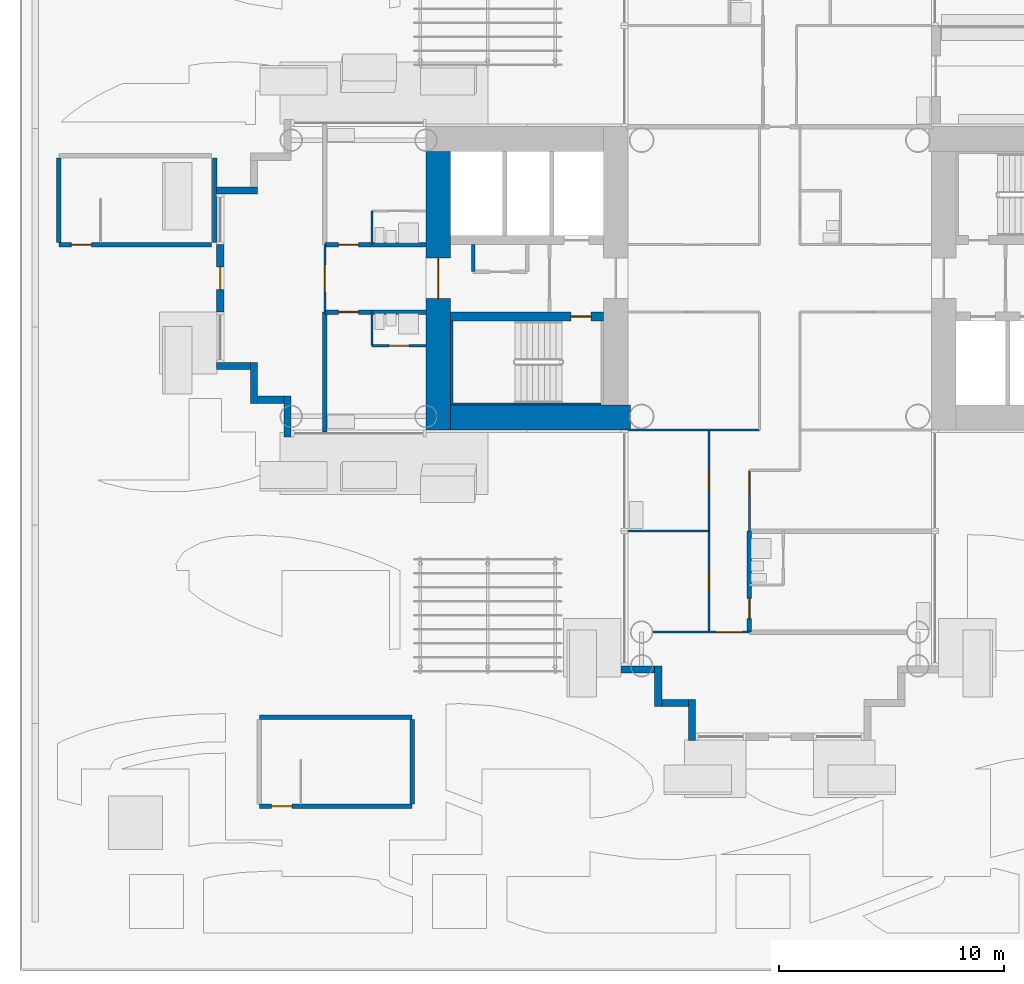
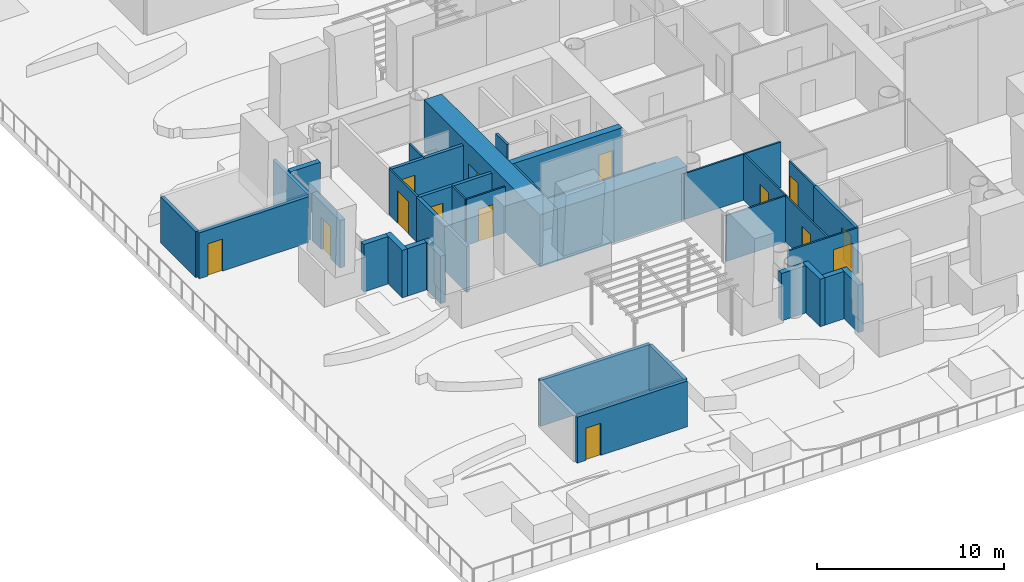
# One storey, part 23 of 40: 35 walls, 14 doors, 14 openings.
"""IFC4 building model written with IfcOpenShell, lengths in metres."""

from ifc_helpers import new_model, si_unit, direction, frame, frame_2d, origin, place, context, subcontext, project, spatial, rectangle, extrude, material, layer, layer_set, type_object, element, fill, save


model = new_model("IFC4")

# Units and contexts
model_context = context("Model", 3, precision=1e-05, world=origin(), true_north=direction((0.0, 1.0)))
body_context = subcontext(model_context, "Body", "Model", "MODEL_VIEW")
ifc_project = project(units=[si_unit("LENGTHUNIT", "METRE"), si_unit("AREAUNIT", "SQUARE_METRE"), si_unit("VOLUMEUNIT", "CUBIC_METRE"), si_unit("PLANEANGLEUNIT", "RADIAN"), si_unit("MASSUNIT", "GRAM", prefix="KILO")], contexts=[model_context])

# Site, building, storey
site_placement = place(None, origin())
site = spatial("IfcSite", under=ifc_project, at=site_placement, CompositionType="ELEMENT")
building_placement = place(site_placement, origin())
building = spatial("IfcBuilding", under=site, at=building_placement, Name="Ipe Terrace Towers", CompositionType="ELEMENT")
storey_placement = place(building_placement, frame((0.0, 0.0, 24.5)))
storey = spatial("IfcBuildingStorey", under=building, at=storey_placement, Name="L05", CompositionType="ELEMENT", Elevation=24.5)

# Walls
ifc_material_1 = material(Name="Concrete C40/50 with buff precast cladding", Category="concrete")
ifc_layer_1 = layer(ifc_material_1, 0.320068359375)
ifc_layer_set_1 = layer_set([ifc_layer_1], Name="BUFF CLADDING WALL 320")
wall_type_1 = type_object("IfcWallType", Name="BUFF CLADDING WALL 320", PredefinedType="STANDARD", material=ifc_layer_set_1)
wall_1_placement = place(storey_placement, frame((-61.070068359375, -3.909912109375, 0.0), z_axis=(0.0, 0.0, 1.0), x_axis=(1.0, 0.0, 0.0)))
element("IfcWall", 1, at=wall_1_placement, inside=storey, type_object=wall_type_1, Name="T1-W-L05-00a wall", PredefinedType="STANDARD", context=body_context, shape_type="SweptSolid", body=[
    extrude(rectangle(XDim=1.5, YDim=0.320068359375, at=frame_2d((0.75, 0.0))), origin(), (0.0, 0.0, 1.0), 3.10009765625),
])
wall_2_placement = place(storey_placement, frame((-59.409912109375, -3.75, 0.0), z_axis=(0.0, 0.0, 1.0), x_axis=(0.0, -1.0, 0.0)))
element("IfcWall", 2, at=wall_2_placement, inside=storey, type_object=wall_type_1, Name="T1-W-L05-01a wall", PredefinedType="STANDARD", context=body_context, shape_type="SweptSolid", body=[
    extrude(rectangle(XDim=1.820068359375, YDim=0.320068359375, at=frame_2d((0.91015625, 0.0))), origin(), (0.0, 0.0, 1.0), 3.10009765625),
])
wall_3_placement = place(storey_placement, frame((-59.25, -5.409912109375, 0.0), z_axis=(0.0, 0.0, 1.0), x_axis=(1.0, 0.0, 0.0)))
element("IfcWall", 3, at=wall_3_placement, inside=storey, type_object=wall_type_1, Name="T1-W-L05-02a wall", PredefinedType="STANDARD", context=body_context, shape_type="SweptSolid", body=[
    extrude(rectangle(XDim=1.179931640625, YDim=0.320068359375, at=frame_2d((0.58984375, 0.0))), origin(), (0.0, 0.0, 1.0), 3.10009765625),
])
wall_4_placement = place(storey_placement, frame((-57.909912109375, -5.25, 0.0), z_axis=(0.0, 0.0, 1.0), x_axis=(0.0, -1.0, 0.0)))
element("IfcWall", 4, at=wall_4_placement, inside=storey, type_object=wall_type_1, Name="T1-W-L05-03a wall", PredefinedType="STANDARD", context=body_context, shape_type="SweptSolid", body=[
    extrude(rectangle(XDim=1.820068359375, YDim=0.320068359375, at=frame_2d((0.91015625, 0.0))), origin(), (0.0, 0.0, 1.0), 3.10009765625),
])
wall_5_placement = place(storey_placement, frame((-43.070068359375, -17.409912109375, 0.0), z_axis=(0.0, 0.0, 1.0), x_axis=(1.0, 0.0, 0.0)))
element("IfcWall", 5, at=wall_5_placement, inside=storey, type_object=wall_type_1, Name="T1-W-L05-08a wall", PredefinedType="STANDARD", context=body_context, shape_type="SweptSolid", body=[
    extrude(rectangle(XDim=1.5, YDim=0.320068359375, at=frame_2d((0.75, 0.0))), origin(), (0.0, 0.0, 1.0), 3.10009765625),
])
wall_6_placement = place(storey_placement, frame((-41.409912109375, -17.25, 0.0), z_axis=(0.0, 0.0, 1.0), x_axis=(0.0, -1.0, 0.0)))
element("IfcWall", 6, at=wall_6_placement, inside=storey, type_object=wall_type_1, Name="T1-W-L05-09a wall", PredefinedType="STANDARD", context=body_context, shape_type="SweptSolid", body=[
    extrude(rectangle(XDim=1.820068359375, YDim=0.320068359375, at=frame_2d((0.91015625, 0.0))), origin(), (0.0, 0.0, 1.0), 3.10009765625),
])
wall_7_placement = place(storey_placement, frame((-41.25, -18.909912109375, 0.0), z_axis=(0.0, 0.0, 1.0), x_axis=(1.0, 0.0, 0.0)))
element("IfcWall", 7, at=wall_7_placement, inside=storey, type_object=wall_type_1, Name="T1-W-L05-10a wall", PredefinedType="STANDARD", context=body_context, shape_type="SweptSolid", body=[
    extrude(rectangle(XDim=1.179931640625, YDim=0.320068359375, at=frame_2d((0.58984375, 0.0))), origin(), (0.0, 0.0, 1.0), 3.10009765625),
])
for number, where, z_axis, x_axis, name in (
    (8, (-39.909912109375, -18.75, 0.0), (0.0, 0.0, 1.0), (0.0, -1.0, 0.0), "T1-W-L05-11a wall"),
    (9, (-59.25, 3.909912109375, 0.0), (0.0, 0.0, 1.0), (-1.0, 0.0, 0.0), "T1-W-L05-50a wall"),
):
    element("IfcWall", number, at=place(storey_placement, frame(where, z_axis=z_axis, x_axis=x_axis)), inside=storey, type_object=wall_type_1, Name=name, PredefinedType="STANDARD", context=body_context, shape_type="SweptSolid", body=[
        extrude(rectangle(XDim=1.820068359375, YDim=0.320068359375, at=frame_2d((0.91015625, 0.0))), origin(), (0.0, 0.0, 1.0), 3.10009765625),
    ])

# Wall, opening, door
wall_8_placement = place(storey_placement, frame((-60.909912109375, 1.5, 0.0), z_axis=(0.0, 0.0, 1.0), x_axis=(0.0, -1.0, 0.0)))
wall_8 = element("IfcWall", 10, at=wall_8_placement, inside=storey, type_object=wall_type_1, Name="T1-W-L05-51b wall", PredefinedType="STANDARD", context=body_context, shape_type="SweptSolid", body=[
    extrude(rectangle(XDim=3.0, YDim=0.320068359375, at=frame_2d((1.5, 0.0))), origin(), (0.0, 0.0, 1.0), 3.10009765625),
])
opening_1_placement = place(wall_8_placement, frame((1.0, 0.0, 0.0)))
opening_1 = element("IfcOpeningElement", 11, at=opening_1_placement, cuts=wall_8, Name="Opening T1-D-L05-51", PredefinedType="OPENING", context=body_context, shape_type="SweptSolid", body=[
    extrude(rectangle(XDim=1.0, YDim=2.10009765625, at=frame_2d((0.5, 1.050048828125))), frame((0.0, 0.169921875, 0.0), z_axis=(0.0, -1.0, 0.0), x_axis=(1.0, 0.0, 0.0)), (0.0, 0.0, 1.0), 0.340087890625),
])
ifc_material_2 = material(Name="Aluminium alloy 6063-T6 framed glazed door", Category="aluminium")
door_type_1 = type_object("IfcDoorType", Name="TERRACE DOOR 1000 x 2100", OperationType="SINGLE_SWING_LEFT", PredefinedType="DOOR", material=ifc_material_2)
door_1_placement = place(opening_1_placement, origin())
door_1 = element("IfcDoor", 12, at=door_1_placement, inside=storey, type_object=door_type_1, Name="DT1 door", OperationType="SINGLE_SWING_LEFT", OverallHeight=2.10009765625, OverallWidth=1.0, PredefinedType="DOOR", context=body_context, shape_type="SweptSolid", body=[
    extrude(rectangle(XDim=1.0, YDim=2.10009765625, at=frame_2d((0.5, 1.050048828125))), frame((0.0, 0.02490234375, 0.0), z_axis=(0.0, -1.0, 0.0), x_axis=(1.0, 0.0, 0.0)), (0.0, 0.0, 1.0), 0.050048828125),
])
fill(opening_1, door_1)

ifc_material_3 = material(Name="Gypsum board partition", Category="plasterboard")
ifc_layer_2 = layer(ifc_material_3, 0.10009765625)
ifc_layer_set_2 = layer_set([ifc_layer_2], Name="Gypsum board partition 100 mm")
wall_type_2 = type_object("IfcWallType", Name="Gypsum board partition 100 mm", PredefinedType="PARTITIONING", material=ifc_layer_set_2)
wall_9_placement = place(storey_placement, frame((-56.25, -1.5, 0.0), z_axis=(0.0, 0.0, 1.0), x_axis=(0.0, 1.0, 0.0)))
wall_9 = element("IfcWall", 13, at=wall_9_placement, inside=storey, type_object=wall_type_2, Name="Gypsum board partition T1 L05 W01", PredefinedType="PARTITIONING", context=body_context, shape_type="SweptSolid", body=[
    extrude(rectangle(XDim=3.0, YDim=0.10009765625, at=frame_2d((1.5, 0.0))), origin(), (0.0, 0.0, 1.0), 3.0),
])
opening_2_placement = place(wall_9_placement, frame((0.89990234375, 0.0, 0.0)))
opening_2 = element("IfcOpeningElement", 14, at=opening_2_placement, cuts=wall_9, Name="Opening T1-Z1A-31", PredefinedType="OPENING", context=body_context, shape_type="SweptSolid", body=[
    extrude(rectangle(XDim=1.199951171875, YDim=2.10009765625, at=frame_2d((0.60009765625, 1.050048828125))), frame((0.0, 0.06005859375, 0.0), z_axis=(0.0, -1.0, 0.0), x_axis=(1.0, 0.0, 0.0)), (0.0, 0.0, 1.0), 0.1201171875),
])
ifc_material_4 = material(Name="Timber door leaf", Category="wood")
door_type_2 = type_object("IfcDoorType", Name="Lounge door 1200 x 2100", OperationType="NOTDEFINED", PredefinedType="DOOR", material=ifc_material_4)
door_2_placement = place(opening_2_placement, origin())
door_2 = element("IfcDoor", 15, at=door_2_placement, inside=storey, type_object=door_type_2, Name="Lounge door T1-Z1A-31", OperationType="SINGLE_SWING_LEFT", OverallHeight=2.10009765625, OverallWidth=1.199951171875, PredefinedType="DOOR", context=body_context, shape_type="SweptSolid", body=[
    extrude(rectangle(XDim=1.199951171875, YDim=2.10009765625, at=frame_2d((0.60009765625, 1.050048828125))), frame((0.0, 0.02490234375, 0.0), z_axis=(0.0, -1.0, 0.0), x_axis=(1.0, 0.0, 0.0)), (0.0, 0.0, 1.0), 0.050048828125),
])
fill(opening_2, door_2)

# Walls
for number, where, z_axis, x_axis, name in (
    (16, (-54.14990234375, -3.0, 0.0), (0.0, 0.0, 1.0), (0.0, 1.0, 0.0), "Gypsum board partition T1 L05 W04"),
    (17, (-54.14990234375, 1.5, 0.0), (0.0, 0.0, 1.0), (0.0, 1.0, 0.0), "Gypsum board partition T1 L05 W05"),
):
    element("IfcWall", number, at=place(storey_placement, frame(where, z_axis=z_axis, x_axis=x_axis)), inside=storey, type_object=wall_type_2, Name=name, PredefinedType="PARTITIONING", context=body_context, shape_type="SweptSolid", body=[
        extrude(rectangle(XDim=1.5, YDim=0.10009765625, at=frame_2d((0.75, 0.0))), origin(), (0.0, 0.0, 1.0), 3.0),
    ])

# Wall, openings, doors
wall_10_placement = place(storey_placement, frame((-39.14990234375, -15.75, 0.0), z_axis=(0.0, 0.0, 1.0), x_axis=(0.0, 1.0, 0.0)))
wall_10 = element("IfcWall", 18, at=wall_10_placement, inside=storey, type_object=wall_type_2, Name="Gypsum board partition T1 L05 W06", PredefinedType="PARTITIONING", context=body_context, shape_type="SweptSolid", body=[
    extrude(rectangle(XDim=9.0, YDim=0.10009765625, at=frame_2d((4.5, 0.0))), origin(), (0.0, 0.0, 1.0), 3.0),
])
opening_3_placement = place(wall_10_placement, frame((6.300048828125, 0.0, 0.0)))
opening_3 = element("IfcOpeningElement", 19, at=opening_3_placement, cuts=wall_10, Name="Opening T1-Z1A-19", PredefinedType="OPENING", context=body_context, shape_type="SweptSolid", body=[
    extrude(rectangle(XDim=0.89990234375, YDim=2.10009765625, at=frame_2d((0.449951171875, 1.050048828125))), frame((0.0, 0.06005859375, 0.0), z_axis=(0.0, -1.0, 0.0), x_axis=(1.0, 0.0, 0.0)), (0.0, 0.0, 1.0), 0.1201171875),
])
opening_4_placement = place(wall_10_placement, frame((1.800048828125, 0.0, 0.0)))
opening_4 = element("IfcOpeningElement", 20, at=opening_4_placement, cuts=wall_10, Name="Opening T1-Z1A-20", PredefinedType="OPENING", context=body_context, shape_type="SweptSolid", body=[
    extrude(rectangle(XDim=0.89990234375, YDim=2.10009765625, at=frame_2d((0.449951171875, 1.050048828125))), frame((0.0, 0.06005859375, 0.0), z_axis=(0.0, -1.0, 0.0), x_axis=(1.0, 0.0, 0.0)), (0.0, 0.0, 1.0), 0.1201171875),
])
ifc_material_5 = material(Name="Timber door leaf", Category="wood")
door_type_3 = type_object("IfcDoorType", Name="Lounge door 900 x 2100", OperationType="NOTDEFINED", PredefinedType="DOOR", material=ifc_material_5)
door_3_placement = place(opening_3_placement, origin())
door_3 = element("IfcDoor", 21, at=door_3_placement, inside=storey, type_object=door_type_3, Name="Lounge door T1-Z1A-19", OperationType="SINGLE_SWING_LEFT", OverallHeight=2.10009765625, OverallWidth=0.89990234375, PredefinedType="DOOR", context=body_context, shape_type="SweptSolid", body=[
    extrude(rectangle(XDim=0.89990234375, YDim=2.10009765625, at=frame_2d((0.449951171875, 1.050048828125))), frame((0.0, 0.02490234375, 0.0), z_axis=(0.0, -1.0, 0.0), x_axis=(1.0, 0.0, 0.0)), (0.0, 0.0, 1.0), 0.050048828125),
])
fill(opening_3, door_3)
door_4_placement = place(opening_4_placement, origin())
door_4 = element("IfcDoor", 22, at=door_4_placement, inside=storey, type_object=door_type_3, Name="Lounge door T1-Z1A-20", OperationType="SINGLE_SWING_RIGHT", OverallHeight=2.10009765625, OverallWidth=0.89990234375, PredefinedType="DOOR", context=body_context, shape_type="SweptSolid", body=[
    extrude(rectangle(XDim=0.89990234375, YDim=2.10009765625, at=frame_2d((0.449951171875, 1.050048828125))), frame((0.0, 0.02490234375, 0.0), z_axis=(0.0, -1.0, 0.0), x_axis=(1.0, 0.0, 0.0)), (0.0, 0.0, 1.0), 0.050048828125),
])
fill(opening_4, door_4)

# Wall, opening, door
wall_11_placement = place(storey_placement, frame((-37.35009765625, -11.25, 0.0), z_axis=(0.0, 0.0, 1.0), x_axis=(0.0, 1.0, 0.0)))
wall_11 = element("IfcWall", 23, at=wall_11_placement, inside=storey, type_object=wall_type_2, Name="Gypsum board partition T1 L05 W08", PredefinedType="PARTITIONING", context=body_context, shape_type="SweptSolid", body=[
    extrude(rectangle(XDim=2.699951171875, YDim=0.10009765625, at=frame_2d((1.35009765625, 0.0))), origin(), (0.0, 0.0, 1.0), 3.0),
])
opening_5_placement = place(wall_11_placement, frame((1.72998046875, 0.0, 0.0)))
opening_5 = element("IfcOpeningElement", 24, at=opening_5_placement, cuts=wall_11, Name="Opening T1-Z1A-16", PredefinedType="OPENING", context=body_context, shape_type="SweptSolid", body=[
    extrude(rectangle(XDim=0.89990234375, YDim=2.10009765625, at=frame_2d((0.449951171875, 1.050048828125))), frame((0.0, 0.06005859375, 0.0), z_axis=(0.0, -1.0, 0.0), x_axis=(1.0, 0.0, 0.0)), (0.0, 0.0, 1.0), 0.1201171875),
])
door_5_placement = place(opening_5_placement, origin())
door_5 = element("IfcDoor", 25, at=door_5_placement, inside=storey, type_object=door_type_3, Name="Lounge door T1-Z1A-16", OperationType="SINGLE_SWING_RIGHT", OverallHeight=2.10009765625, OverallWidth=0.89990234375, PredefinedType="DOOR", context=body_context, shape_type="SweptSolid", body=[
    extrude(rectangle(XDim=0.89990234375, YDim=2.10009765625, at=frame_2d((0.449951171875, 1.050048828125))), frame((0.0, 0.02490234375, 0.0), z_axis=(0.0, -1.0, 0.0), x_axis=(1.0, 0.0, 0.0)), (0.0, 0.0, 1.0), 0.050048828125),
])
fill(opening_5, door_5)

wall_12_placement = place(storey_placement, frame((-41.64990234375, -15.75, 0.0), z_axis=(0.0, 0.0, 1.0), x_axis=(1.0, 0.0, 0.0)))
wall_12 = element("IfcWall", 26, at=wall_12_placement, inside=storey, type_object=wall_type_2, Name="Gypsum board partition T1 L05 W22", PredefinedType="PARTITIONING", context=body_context, shape_type="SweptSolid", body=[
    extrude(rectangle(XDim=4.2998046875, YDim=0.10009765625, at=frame_2d((2.14990234375, 0.0))), origin(), (0.0, 0.0, 1.0), 3.0),
])
opening_6_placement = place(wall_12_placement, frame((2.800048828125, 0.0, 0.0)))
opening_6 = element("IfcOpeningElement", 27, at=opening_6_placement, cuts=wall_12, Name="Opening T1-Z1A-21", PredefinedType="OPENING", context=body_context, shape_type="SweptSolid", body=[
    extrude(rectangle(XDim=1.199951171875, YDim=2.10009765625, at=frame_2d((0.60009765625, 1.050048828125))), frame((0.0, 0.06005859375, 0.0), z_axis=(0.0, -1.0, 0.0), x_axis=(1.0, 0.0, 0.0)), (0.0, 0.0, 1.0), 0.1201171875),
])
door_6_placement = place(opening_6_placement, origin())
door_6 = element("IfcDoor", 28, at=door_6_placement, inside=storey, type_object=door_type_2, Name="Lounge door T1-Z1A-21", OperationType="SINGLE_SWING_RIGHT", OverallHeight=2.10009765625, OverallWidth=1.199951171875, PredefinedType="DOOR", context=body_context, shape_type="SweptSolid", body=[
    extrude(rectangle(XDim=1.199951171875, YDim=2.10009765625, at=frame_2d((0.60009765625, 1.050048828125))), frame((0.0, 0.02490234375, 0.0), z_axis=(0.0, -1.0, 0.0), x_axis=(1.0, 0.0, 0.0)), (0.0, 0.0, 1.0), 0.050048828125),
])
fill(opening_6, door_6)

# Walls
wall_13_placement = place(storey_placement, frame((-42.85009765625, -11.25, 0.0), z_axis=(0.0, 0.0, 1.0), x_axis=(1.0, 0.0, 0.0)))
element("IfcWall", 29, at=wall_13_placement, inside=storey, type_object=wall_type_2, Name="Gypsum board partition T1 L05 W25", PredefinedType="PARTITIONING", context=body_context, shape_type="SweptSolid", body=[
    extrude(rectangle(XDim=3.7001953125, YDim=0.10009765625, at=frame_2d((1.85009765625, 0.0))), origin(), (0.0, 0.0, 1.0), 3.0),
])
wall_14_placement = place(storey_placement, frame((-42.85009765625, -6.75, 0.0), z_axis=(0.0, 0.0, 1.0), x_axis=(1.0, 0.0, 0.0)))
element("IfcWall", 30, at=wall_14_placement, inside=storey, type_object=wall_type_2, Name="Gypsum board partition T1 L05 W28", PredefinedType="PARTITIONING", context=body_context, shape_type="SweptSolid", body=[
    extrude(rectangle(XDim=5.9501953125, YDim=0.10009765625, at=frame_2d((2.97509765625, 0.0))), origin(), (0.0, 0.0, 1.0), 3.0),
])

# Wall, opening, door
wall_15_placement = place(storey_placement, frame((-54.14990234375, -3.0, 0.0), z_axis=(0.0, 0.0, 1.0), x_axis=(1.0, 0.0, 0.0)))
wall_15 = element("IfcWall", 31, at=wall_15_placement, inside=storey, type_object=wall_type_2, Name="Gypsum board partition T1 L05 W31", PredefinedType="PARTITIONING", context=body_context, shape_type="SweptSolid", body=[
    extrude(rectangle(XDim=2.39990234375, YDim=0.10009765625, at=frame_2d((1.199951171875, 0.0))), origin(), (0.0, 0.0, 1.0), 3.0),
])
opening_7_placement = place(wall_15_placement, frame((0.75, 0.0, 0.0)))
opening_7 = element("IfcOpeningElement", 32, at=opening_7_placement, cuts=wall_15, Name="Opening T1-Z1A-28", PredefinedType="OPENING", context=body_context, shape_type="SweptSolid", body=[
    extrude(rectangle(XDim=0.89990234375, YDim=2.10009765625, at=frame_2d((0.449951171875, 1.050048828125))), frame((0.0, 0.06005859375, 0.0), z_axis=(0.0, -1.0, 0.0), x_axis=(1.0, 0.0, 0.0)), (0.0, 0.0, 1.0), 0.1201171875),
])
ifc_material_6 = material(Name="Timber door leaf", Category="wood")
door_type_4 = type_object("IfcDoorType", Name="Bathroom door 900 x 2100", OperationType="NOTDEFINED", PredefinedType="DOOR", material=ifc_material_6)
door_7_placement = place(opening_7_placement, origin())
door_7 = element("IfcDoor", 33, at=door_7_placement, inside=storey, type_object=door_type_4, Name="Bathroom door T1-Z1A-28", OperationType="SINGLE_SWING_LEFT", OverallHeight=2.10009765625, OverallWidth=0.89990234375, PredefinedType="DOOR", context=body_context, shape_type="SweptSolid", body=[
    extrude(rectangle(XDim=0.89990234375, YDim=2.10009765625, at=frame_2d((0.449951171875, 1.050048828125))), frame((0.0, 0.02490234375, 0.0), z_axis=(0.0, -1.0, 0.0), x_axis=(1.0, 0.0, 0.0)), (0.0, 0.0, 1.0), 0.050048828125),
])
fill(opening_7, door_7)

# Walls
ifc_material_7 = material(Name="Gypsum board partition", Category="plasterboard")
ifc_layer_3 = layer(ifc_material_7, 0.14990234375)
ifc_layer_set_3 = layer_set([ifc_layer_3], Name="Gypsum board partition 150 mm")
wall_type_3 = type_object("IfcWallType", Name="Gypsum board partition 150 mm", PredefinedType="PARTITIONING", material=ifc_layer_set_3)
wall_16_placement = place(storey_placement, frame((-49.64990234375, 0.300048828125, 0.0), z_axis=(0.0, 0.0, 1.0), x_axis=(0.0, 1.0, 0.0)))
element("IfcWall", 34, at=wall_16_placement, inside=storey, type_object=wall_type_3, Name="Gypsum board partition T1 L05 t1c2-cup-s-b", PredefinedType="PARTITIONING", context=body_context, shape_type="SweptSolid", body=[
    extrude(rectangle(XDim=1.199951171875, YDim=0.14990234375, at=frame_2d((0.60009765625, 0.0))), origin(), (0.0, 0.0, 1.0), 3.0),
])
ifc_material_8 = material(Name="Gypsum board party wall", Category="plasterboard")
ifc_layer_4 = layer(ifc_material_8, 0.199951171875)
ifc_layer_set_4 = layer_set([ifc_layer_4], Name="Gypsum board party wall 200 mm")
wall_type_4 = type_object("IfcWallType", Name="Gypsum board party wall 200 mm", PredefinedType="SOLIDWALL", material=ifc_layer_set_4)
wall_17_placement = place(storey_placement, frame((-56.25, -6.85009765625, 0.0), z_axis=(0.0, 0.0, 1.0), x_axis=(0.0, 1.0, 0.0)))
element("IfcWall", 35, at=wall_17_placement, inside=storey, type_object=wall_type_4, Name="Gypsum board party wall T1 L05 W02", PredefinedType="SOLIDWALL", context=body_context, shape_type="SweptSolid", body=[
    extrude(rectangle(XDim=5.35009765625, YDim=0.199951171875, at=frame_2d((2.675048828125, 0.0))), origin(), (0.0, 0.0, 1.0), 3.0),
])

# Wall, opening, door
wall_18_placement = place(storey_placement, frame((-37.35009765625, -15.75, 0.0), z_axis=(0.0, 0.0, 1.0), x_axis=(0.0, 1.0, 0.0)))
wall_18 = element("IfcWall", 36, at=wall_18_placement, inside=storey, type_object=wall_type_4, Name="Gypsum board party wall T1 L05 W09", PredefinedType="SOLIDWALL", context=body_context, shape_type="SweptSolid", body=[
    extrude(rectangle(XDim=4.5, YDim=0.199951171875, at=frame_2d((2.25, 0.0))), origin(), (0.0, 0.0, 1.0), 3.0),
])
opening_8_placement = place(wall_18_placement, frame((0.60009765625, 0.0, 0.0)))
opening_8 = element("IfcOpeningElement", 37, at=opening_8_placement, cuts=wall_18, Name="Opening T1-Z1A-17", PredefinedType="OPENING", context=body_context, shape_type="SweptSolid", body=[
    extrude(rectangle(XDim=0.89990234375, YDim=2.10009765625, at=frame_2d((0.449951171875, 1.050048828125))), frame((0.0, 0.10986328125, 0.0), z_axis=(0.0, -1.0, 0.0), x_axis=(1.0, 0.0, 0.0)), (0.0, 0.0, 1.0), 0.219970703125),
])
ifc_material_9 = material(Name="Fire-rated timber door leaf", Category="wood")
door_type_5 = type_object("IfcDoorType", Name="Flat entrance door 900 x 2100 FD30S", OperationType="NOTDEFINED", PredefinedType="DOOR", material=ifc_material_9)
door_8_placement = place(opening_8_placement, origin())
door_8 = element("IfcDoor", 38, at=door_8_placement, inside=storey, type_object=door_type_5, Name="Flat entrance door T1-Z1A-17", OperationType="SINGLE_SWING_LEFT", OverallHeight=2.10009765625, OverallWidth=0.89990234375, PredefinedType="DOOR", context=body_context, shape_type="SweptSolid", body=[
    extrude(rectangle(XDim=0.89990234375, YDim=2.10009765625, at=frame_2d((0.449951171875, 1.050048828125))), frame((0.0, 0.02490234375, 0.0), z_axis=(0.0, -1.0, 0.0), x_axis=(1.0, 0.0, 0.0)), (0.0, 0.0, 1.0), 0.050048828125),
])
fill(opening_8, door_8)

wall_19_placement = place(storey_placement, frame((-56.25, -1.5, 0.0), z_axis=(0.0, 0.0, 1.0), x_axis=(1.0, 0.0, 0.0)))
wall_19 = element("IfcWall", 39, at=wall_19_placement, inside=storey, type_object=wall_type_4, Name="Gypsum board party wall T1 L05 W34", PredefinedType="SOLIDWALL", context=body_context, shape_type="SweptSolid", body=[
    extrude(rectangle(XDim=4.5, YDim=0.199951171875, at=frame_2d((2.25, 0.0))), origin(), (0.0, 0.0, 1.0), 3.0),
])
opening_9_placement = place(wall_19_placement, frame((0.60009765625, 0.0, 0.0)))
opening_9 = element("IfcOpeningElement", 40, at=opening_9_placement, cuts=wall_19, Name="Opening T1-Z1A-27", PredefinedType="OPENING", context=body_context, shape_type="SweptSolid", body=[
    extrude(rectangle(XDim=0.89990234375, YDim=2.10009765625, at=frame_2d((0.449951171875, 1.050048828125))), frame((0.0, 0.10986328125, 0.0), z_axis=(0.0, -1.0, 0.0), x_axis=(1.0, 0.0, 0.0)), (0.0, 0.0, 1.0), 0.219970703125),
])
door_9_placement = place(opening_9_placement, origin())
door_9 = element("IfcDoor", 41, at=door_9_placement, inside=storey, type_object=door_type_5, Name="Flat entrance door T1-Z1A-27", OperationType="SINGLE_SWING_LEFT", OverallHeight=2.10009765625, OverallWidth=0.89990234375, PredefinedType="DOOR", context=body_context, shape_type="SweptSolid", body=[
    extrude(rectangle(XDim=0.89990234375, YDim=2.10009765625, at=frame_2d((0.449951171875, 1.050048828125))), frame((0.0, 0.02490234375, 0.0), z_axis=(0.0, -1.0, 0.0), x_axis=(1.0, 0.0, 0.0)), (0.0, 0.0, 1.0), 0.050048828125),
])
fill(opening_9, door_9)

wall_20_placement = place(storey_placement, frame((-56.25, 1.5, 0.0), z_axis=(0.0, 0.0, 1.0), x_axis=(1.0, 0.0, 0.0)))
wall_20 = element("IfcWall", 42, at=wall_20_placement, inside=storey, type_object=wall_type_4, Name="Gypsum board party wall T1 L05 W39", PredefinedType="SOLIDWALL", context=body_context, shape_type="SweptSolid", body=[
    extrude(rectangle(XDim=4.5, YDim=0.199951171875, at=frame_2d((2.25, 0.0))), origin(), (0.0, 0.0, 1.0), 3.0),
])
opening_10_placement = place(wall_20_placement, frame((0.60009765625, 0.0, 0.0)))
opening_10 = element("IfcOpeningElement", 43, at=opening_10_placement, cuts=wall_20, Name="Opening T1-Z1A-29", PredefinedType="OPENING", context=body_context, shape_type="SweptSolid", body=[
    extrude(rectangle(XDim=0.89990234375, YDim=2.10009765625, at=frame_2d((0.449951171875, 1.050048828125))), frame((0.0, 0.10986328125, 0.0), z_axis=(0.0, -1.0, 0.0), x_axis=(1.0, 0.0, 0.0)), (0.0, 0.0, 1.0), 0.219970703125),
])
door_10_placement = place(opening_10_placement, origin())
door_10 = element("IfcDoor", 44, at=door_10_placement, inside=storey, type_object=door_type_5, Name="Flat entrance door T1-Z1A-29", OperationType="SINGLE_SWING_RIGHT", OverallHeight=2.10009765625, OverallWidth=0.89990234375, PredefinedType="DOOR", context=body_context, shape_type="SweptSolid", body=[
    extrude(rectangle(XDim=0.89990234375, YDim=2.10009765625, at=frame_2d((0.449951171875, 1.050048828125))), frame((0.0, 0.02490234375, 0.0), z_axis=(0.0, -1.0, 0.0), x_axis=(1.0, 0.0, 0.0)), (0.0, 0.0, 1.0), 0.050048828125),
])
fill(opening_10, door_10)

# Walls
ifc_material_10 = material(Name="Concrete C60/75", Category="concrete")
ifc_layer_5 = layer(ifc_material_10, 0.10009765625)
ifc_layer_set_5 = layer_set([ifc_layer_5], Name="RW100 CORE INFILL WALL 100 C60-75")
wall_type_5 = type_object("IfcWallType", Name="RW100 CORE INFILL WALL 100 C60-75", PredefinedType="SHEAR", material=ifc_layer_set_5)
wall_21_placement = place(storey_placement, frame((-50.60009765625, -1.89990234375, 0.0), z_axis=(0.0, 0.0, 1.0), x_axis=(0.0, -1.0, 0.0)))
element("IfcWall", 45, at=wall_21_placement, inside=storey, type_object=wall_type_5, Name="Core infill wall T1-C2-far", PredefinedType="SHEAR", context=body_context, shape_type="SweptSolid", body=[
    extrude(rectangle(XDim=3.75, YDim=0.10009765625, at=frame_2d((1.875, 0.0))), origin(), (0.0, 0.0, 1.0), 3.39990234375),
])
wall_22_placement = place(storey_placement, frame((-43.949951171875, -5.60009765625, 0.0), z_axis=(0.0, 0.0, 1.0), x_axis=(-1.0, 0.0, 0.0)))
element("IfcWall", 46, at=wall_22_placement, inside=storey, type_object=wall_type_5, Name="Core infill wall T1-C2-back", PredefinedType="SHEAR", context=body_context, shape_type="SweptSolid", body=[
    extrude(rectangle(XDim=6.60009765625, YDim=0.10009765625, at=frame_2d((3.300048828125, 0.0))), origin(), (0.0, 0.0, 1.0), 3.39990234375),
])
ifc_material_11 = material(Name="Concrete C60/75", Category="concrete")
ifc_layer_6 = layer(ifc_material_11, 1.10009765625)
ifc_layer_set_6 = layer_set([ifc_layer_6], Name="RW1100 CORE WALL 1100 C60-75")
wall_type_6 = type_object("IfcWallType", Name="RW1100 CORE WALL 1100 C60-75", PredefinedType="SHEAR", material=ifc_layer_set_6)
wall_23_placement = place(storey_placement, frame((-50.64990234375, -6.199951171875, 0.0), z_axis=(0.0, 0.0, 1.0), x_axis=(1.0, 0.0, 0.0)))
element("IfcWall", 47, at=wall_23_placement, inside=storey, type_object=wall_type_6, Name="Core wall T1-C2-Z1-W01", PredefinedType="SHEAR", context=body_context, shape_type="SweptSolid", body=[
    extrude(rectangle(XDim=7.997802734375, YDim=1.10009765625, at=frame_2d((3.9990234375, 0.0))), origin(), (0.0, 0.0, 1.0), 3.39990234375),
])

# Wall, opening, door
wall_24_placement = place(storey_placement, frame((-51.199951171875, 5.64990234375, 0.0), z_axis=(0.0, 0.0, 1.0), x_axis=(0.0, -1.0, 0.0)))
wall_24 = element("IfcWall", 48, at=wall_24_placement, inside=storey, type_object=wall_type_6, Name="Core wall T1-C2-Z1-W04", PredefinedType="SHEAR", context=body_context, shape_type="SweptSolid", body=[
    extrude(rectangle(XDim=12.39990234375, YDim=1.10009765625, at=frame_2d((6.199951171875, 0.0))), origin(), (0.0, 0.0, 1.0), 3.39990234375),
])
opening_11_placement = place(wall_24_placement, frame((4.75, 0.0, 0.0)))
opening_11 = element("IfcOpeningElement", 49, at=opening_11_placement, cuts=wall_24, Name="Opening T1C2-FD", PredefinedType="OPENING", context=body_context, shape_type="SweptSolid", body=[
    extrude(rectangle(XDim=1.800048828125, YDim=2.10009765625, at=frame_2d((0.89990234375, 1.050048828125))), frame((0.0, 0.56005859375, 0.0), z_axis=(0.0, -1.0, 0.0), x_axis=(1.0, 0.0, 0.0)), (0.0, 0.0, 1.0), 1.1201171875),
])
ifc_material_12 = material(Name="Fire-rated timber door leaf", Category="wood")
door_type_6 = type_object("IfcDoorType", Name="Fire door 1800 x 2100 FD30S", OperationType="NOTDEFINED", PredefinedType="DOOR", material=ifc_material_12)
door_11_placement = place(opening_11_placement, origin())
door_11 = element("IfcDoor", 50, at=door_11_placement, inside=storey, type_object=door_type_6, Name="Fire door T1C2-FD", OperationType="SINGLE_SWING_LEFT", OverallHeight=2.10009765625, OverallWidth=1.800048828125, PredefinedType="DOOR", context=body_context, shape_type="SweptSolid", body=[
    extrude(rectangle(XDim=1.800048828125, YDim=2.10009765625, at=frame_2d((0.89990234375, 1.050048828125))), frame((0.0, 0.02490234375, 0.0), z_axis=(0.0, -1.0, 0.0), x_axis=(1.0, 0.0, 0.0)), (0.0, 0.0, 1.0), 0.050048828125),
])
fill(opening_11, door_11)

ifc_material_13 = material(Name="Concrete C40/50", Category="concrete")
ifc_layer_7 = layer(ifc_material_13, 0.199951171875)
ifc_layer_set_7 = layer_set([ifc_layer_7], Name="RW200 PODIUM STAIR SHAFT WALL 200 C40-50")
wall_type_7 = type_object("IfcWallType", Name="RW200 PODIUM STAIR SHAFT WALL 200 C40-50", PredefinedType="SHEAR", material=ifc_layer_set_7)
wall_25_placement = place(storey_placement, frame((-59.169921875, -23.5, 0.0), z_axis=(0.0, 0.0, 1.0), x_axis=(1.0, 0.0, 0.0)))
wall_25 = element("IfcWall", 51, at=wall_25_placement, inside=storey, type_object=wall_type_7, Name="Stair shaft wall T1 L05 ps4-c", PredefinedType="SHEAR", context=body_context, shape_type="SweptSolid", body=[
    extrude(rectangle(XDim=6.7998046875, YDim=0.199951171875, at=frame_2d((3.39990234375, 0.0))), origin(), (0.0, 0.0, 1.0), 3.0),
])
opening_12_placement = place(wall_25_placement, frame((0.550048828125, 0.0, 0.0)))
opening_12 = element("IfcOpeningElement", 52, at=opening_12_placement, cuts=wall_25, Name="Opening PS4-SD", PredefinedType="OPENING", context=body_context, shape_type="SweptSolid", body=[
    extrude(rectangle(XDim=0.89990234375, YDim=2.10009765625, at=frame_2d((0.449951171875, 1.050048828125))), frame((0.0, 0.10986328125, 0.0), z_axis=(0.0, -1.0, 0.0), x_axis=(1.0, 0.0, 0.0)), (0.0, 0.0, 1.0), 0.219970703125),
])
ifc_material_14 = material(Name="Fire-rated timber door leaf", Category="wood")
door_type_7 = type_object("IfcDoorType", Name="Stair door 900 x 2100 FD60", OperationType="NOTDEFINED", PredefinedType="DOOR", material=ifc_material_14)
door_12_placement = place(opening_12_placement, origin())
door_12 = element("IfcDoor", 53, at=door_12_placement, inside=storey, type_object=door_type_7, Name="Stair door PS4-SD", OperationType="SINGLE_SWING_RIGHT", OverallHeight=2.10009765625, OverallWidth=0.89990234375, PredefinedType="DOOR", context=body_context, shape_type="SweptSolid", body=[
    extrude(rectangle(XDim=0.89990234375, YDim=2.10009765625, at=frame_2d((0.449951171875, 1.050048828125))), frame((0.0, 0.02490234375, 0.0), z_axis=(0.0, -1.0, 0.0), x_axis=(1.0, 0.0, 0.0)), (0.0, 0.0, 1.0), 0.050048828125),
])
fill(opening_12, door_12)

# Walls
wall_26_placement = place(storey_placement, frame((-59.169921875, -19.550048828125, 0.0), z_axis=(0.0, 0.0, 1.0), x_axis=(1.0, 0.0, 0.0)))
element("IfcWall", 54, at=wall_26_placement, inside=storey, type_object=wall_type_7, Name="Stair shaft wall T1 L05 ps4-f", PredefinedType="SHEAR", context=body_context, shape_type="SweptSolid", body=[
    extrude(rectangle(XDim=6.7998046875, YDim=0.199951171875, at=frame_2d((3.39990234375, 0.0))), origin(), (0.0, 0.0, 1.0), 3.0),
])
wall_27_placement = place(storey_placement, frame((-52.3701171875, -23.39990234375, 0.0), z_axis=(0.0, 0.0, 1.0), x_axis=(0.0, 1.0, 0.0)))
element("IfcWall", 55, at=wall_27_placement, inside=storey, type_object=wall_type_7, Name="Stair shaft wall T1 L05 ps4-e", PredefinedType="SHEAR", context=body_context, shape_type="SweptSolid", body=[
    extrude(rectangle(XDim=3.75, YDim=0.199951171875, at=frame_2d((1.875, 0.0))), origin(), (0.0, 0.0, 1.0), 3.0),
])

# Wall, opening, door
wall_28_placement = place(storey_placement, frame((-68.090087890625, 1.5, 0.0), z_axis=(0.0, 0.0, 1.0), x_axis=(1.0, 0.0, 0.0)))
wall_28 = element("IfcWall", 56, at=wall_28_placement, inside=storey, type_object=wall_type_7, Name="Stair shaft wall T1 L05 ps7-c", PredefinedType="SHEAR", context=body_context, shape_type="SweptSolid", body=[
    extrude(rectangle(XDim=6.800048828125, YDim=0.199951171875, at=frame_2d((3.39990234375, 0.0))), origin(), (0.0, 0.0, 1.0), 3.0),
])
opening_13_placement = place(wall_28_placement, frame((0.550048828125, 0.0, 0.0)))
opening_13 = element("IfcOpeningElement", 57, at=opening_13_placement, cuts=wall_28, Name="Opening PS7-SD", PredefinedType="OPENING", context=body_context, shape_type="SweptSolid", body=[
    extrude(rectangle(XDim=0.89990234375, YDim=2.10009765625, at=frame_2d((0.449951171875, 1.050048828125))), frame((0.0, 0.10986328125, 0.0), z_axis=(0.0, -1.0, 0.0), x_axis=(1.0, 0.0, 0.0)), (0.0, 0.0, 1.0), 0.219970703125),
])
door_13_placement = place(opening_13_placement, origin())
door_13 = element("IfcDoor", 58, at=door_13_placement, inside=storey, type_object=door_type_7, Name="Stair door PS7-SD", OperationType="SINGLE_SWING_RIGHT", OverallHeight=2.10009765625, OverallWidth=0.89990234375, PredefinedType="DOOR", context=body_context, shape_type="SweptSolid", body=[
    extrude(rectangle(XDim=0.89990234375, YDim=2.10009765625, at=frame_2d((0.449951171875, 1.050048828125))), frame((0.0, 0.02490234375, 0.0), z_axis=(0.0, -1.0, 0.0), x_axis=(1.0, 0.0, 0.0)), (0.0, 0.0, 1.0), 0.050048828125),
])
fill(opening_13, door_13)

# Walls
for number, where, z_axis, x_axis, name in (
    (59, (-68.090087890625, 1.60009765625, 0.0), (0.0, 0.0, 1.0), (0.0, 1.0, 0.0), "Stair shaft wall T1 L05 ps7-w"),
    (60, (-61.159912109375, 1.60009765625, 0.0), (0.0, 0.0, 1.0), (0.0, 1.0, 0.0), "Stair shaft wall T1 L05 ps7-e"),
):
    element("IfcWall", number, at=place(storey_placement, frame(where, z_axis=z_axis, x_axis=x_axis)), inside=storey, type_object=wall_type_7, Name=name, PredefinedType="SHEAR", context=body_context, shape_type="SweptSolid", body=[
        extrude(rectangle(XDim=3.75, YDim=0.199951171875, at=frame_2d((1.875, 0.0))), origin(), (0.0, 0.0, 1.0), 3.0),
    ])

# Wall, opening, door
ifc_material_15 = material(Name="Concrete C60/75", Category="concrete")
ifc_layer_8 = layer(ifc_material_15, 0.39990234375)
ifc_layer_set_8 = layer_set([ifc_layer_8], Name="RW400 CORE SPINE WALL 400 C60-75")
wall_type_8 = type_object("IfcWallType", Name="RW400 CORE SPINE WALL 400 C60-75", PredefinedType="SHEAR", material=ifc_layer_set_8)
wall_29_placement = place(storey_placement, frame((-50.64990234375, -1.699951171875, 0.0), z_axis=(0.0, 0.0, 1.0), x_axis=(1.0, 0.0, 0.0)))
wall_29 = element("IfcWall", 61, at=wall_29_placement, inside=storey, type_object=wall_type_8, Name="Core spine wall T1-C2-Z1-SW1", PredefinedType="SHEAR", context=body_context, shape_type="SweptSolid", body=[
    extrude(rectangle(XDim=6.7998046875, YDim=0.39990234375, at=frame_2d((3.39990234375, 0.0))), origin(), (0.0, 0.0, 1.0), 3.39990234375),
])
opening_14_placement = place(wall_29_placement, frame((5.35009765625, 0.0, 0.0)))
opening_14 = element("IfcOpeningElement", 62, at=opening_14_placement, cuts=wall_29, Name="Opening T1C2-SD", PredefinedType="OPENING", context=body_context, shape_type="SweptSolid", body=[
    extrude(rectangle(XDim=0.89990234375, YDim=2.10009765625, at=frame_2d((0.449951171875, 1.050048828125))), frame((0.0, 0.2099609375, 0.0), z_axis=(0.0, -1.0, 0.0), x_axis=(1.0, 0.0, 0.0)), (0.0, 0.0, 1.0), 0.419921875),
])
door_14_placement = place(opening_14_placement, origin())
door_14 = element("IfcDoor", 63, at=door_14_placement, inside=storey, type_object=door_type_7, Name="Stair door T1C2-SD", OperationType="SINGLE_SWING_RIGHT", OverallHeight=2.10009765625, OverallWidth=0.89990234375, PredefinedType="DOOR", context=body_context, shape_type="SweptSolid", body=[
    extrude(rectangle(XDim=0.89990234375, YDim=2.10009765625, at=frame_2d((0.449951171875, 1.050048828125))), frame((0.0, 0.02490234375, 0.0), z_axis=(0.0, -1.0, 0.0), x_axis=(1.0, 0.0, 0.0)), (0.0, 0.0, 1.0), 0.050048828125),
])
fill(opening_14, door_14)

save(model, "model.ifc")
